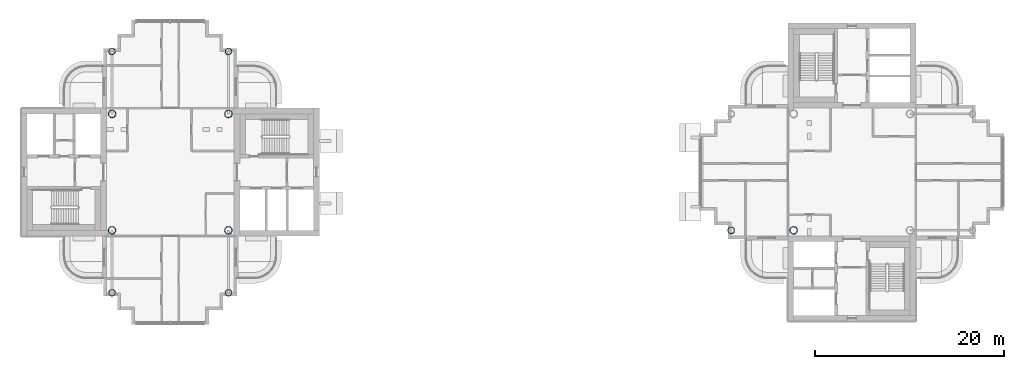
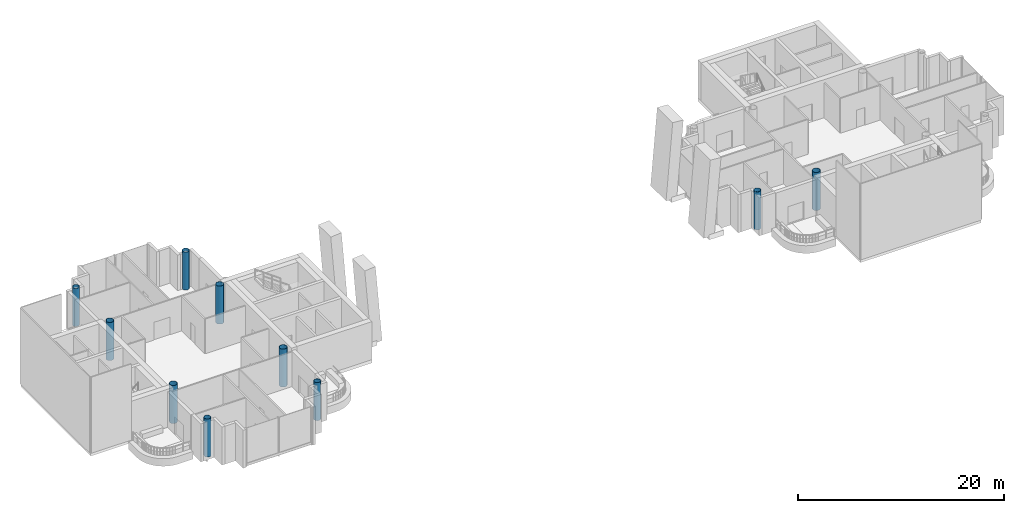
# One storey, part 1 of 19: 10 columns.
"""IFC4 building model written with IfcOpenShell, lengths in metres."""

from ifc_helpers import new_model, si_unit, direction, frame, origin, origin_2d, place, context, subcontext, project, spatial, hollow_circle, extrude, material, material_profile, profile_set, type_object, element, save


model = new_model("IFC4")

# Units and contexts
model_context = context("Model", 3, precision=1e-05, world=origin(), true_north=direction((0.0, 1.0)))
body_context = subcontext(model_context, "Body", "Model", "MODEL_VIEW")
ifc_project = project(units=[si_unit("LENGTHUNIT", "METRE"), si_unit("AREAUNIT", "SQUARE_METRE"), si_unit("VOLUMEUNIT", "CUBIC_METRE"), si_unit("PLANEANGLEUNIT", "RADIAN"), si_unit("MASSUNIT", "GRAM", prefix="KILO")], contexts=[model_context])

# Site, building, storey
site_placement = place(None, origin())
site = spatial("IfcSite", under=ifc_project, at=site_placement, CompositionType="ELEMENT")
building_placement = place(site_placement, origin())
building = spatial("IfcBuilding", under=site, at=building_placement, Name="Ipe Terrace Towers", CompositionType="ELEMENT")
storey_placement = place(building_placement, frame((0.0, 0.0, 237.89990234375)))
storey = spatial("IfcBuildingStorey", under=building, at=storey_placement, Name="L66", CompositionType="ELEMENT", Elevation=237.89990234375)

# Columns
ifc_material_1 = material(Name="Steel S355 tube with Concrete C60/75 fill", Category="concrete")
ifc_material_profile_1 = material_profile(ifc_material_1, hollow_circle(Radius=0.35009765625, WallThickness=0.02490234375, at=origin_2d()), Name="CHS-700x25")
ifc_profile_set_1 = profile_set([ifc_material_profile_1], Name="Steel S355 tube with Concrete C60/75 fill")
column_type_1 = type_object("IfcColumnType", Name="CH08 COLUMN CHS-700x25", PredefinedType="COLUMN", material=ifc_profile_set_1)
for number, where, z_axis, x_axis, name in (
    (1, (-29.85009765625, 12.75, 0.0), (0.0, 0.0, 1.0), (1.0, 0.0, 0.0), "Column T1-C-B01"),
    (2, (-42.14990234375, 12.75, 0.0), (0.0, 0.0, 1.0), (1.0, 0.0, 0.0), "Column T1-C-B02"),
    (3, (-42.14990234375, -12.75, 0.0), (0.0, 0.0, 1.0), (1.0, 0.0, 0.0), "Column T1-C-D01"),
    (4, (-29.85009765625, -12.75, 0.0), (0.0, 0.0, 1.0), (1.0, 0.0, 0.0), "Column T1-C-D02"),
    (5, (23.25, -6.14990234375, 0.0), (0.0, 0.0, 1.0), (1.0, 0.0, 0.0), "Column T2-C-B02"),
):
    element("IfcColumn", number, at=place(storey_placement, frame(where, z_axis=z_axis, x_axis=x_axis)), inside=storey, type_object=column_type_1, Name=name, PredefinedType="COLUMN", context=body_context, shape_type="SweptSolid", body=[
        extrude(hollow_circle(Radius=0.35009765625, WallThickness=0.02490234375, at=origin_2d()), origin(), (0.0, 0.0, 1.0), 4.5),
    ])
ifc_material_2 = material(Name="Steel S355 tube with Concrete C60/75 fill", Category="concrete")
ifc_material_profile_2 = material_profile(ifc_material_2, hollow_circle(Radius=0.39990234375, WallThickness=0.028076171875, at=origin_2d()), Name="CHS-800x28")
ifc_profile_set_2 = profile_set([ifc_material_profile_2], Name="Steel S355 tube with Concrete C60/75 fill")
column_type_2 = type_object("IfcColumnType", Name="CH09 COLUMN CHS-800x28", PredefinedType="COLUMN", material=ifc_profile_set_2)
for number, where, z_axis, x_axis, name in (
    (6, (-42.14990234375, -6.14990234375, 0.0), (0.0, 0.0, 1.0), (1.0, 0.0, 0.0), "Column T1-C-E01"),
    (7, (-29.85009765625, -6.14990234375, 0.0), (0.0, 0.0, 1.0), (1.0, 0.0, 0.0), "Column T1-C-E02"),
    (8, (-29.85009765625, 6.14990234375, 0.0), (0.0, 0.0, 1.0), (1.0, 0.0, 0.0), "Column T1-C-E03"),
    (9, (-42.14990234375, 6.14990234375, 0.0), (0.0, 0.0, 1.0), (1.0, 0.0, 0.0), "Column T1-C-E04"),
    (10, (29.85009765625, -6.14990234375, 0.0), (0.0, 0.0, 1.0), (1.0, 0.0, 0.0), "Column T2-C-E04"),
):
    element("IfcColumn", number, at=place(storey_placement, frame(where, z_axis=z_axis, x_axis=x_axis)), inside=storey, type_object=column_type_2, Name=name, PredefinedType="COLUMN", context=body_context, shape_type="SweptSolid", body=[
        extrude(hollow_circle(Radius=0.39990234375, WallThickness=0.028076171875, at=origin_2d()), origin(), (0.0, 0.0, 1.0), 4.5),
    ])

save(model, "model.ifc")
